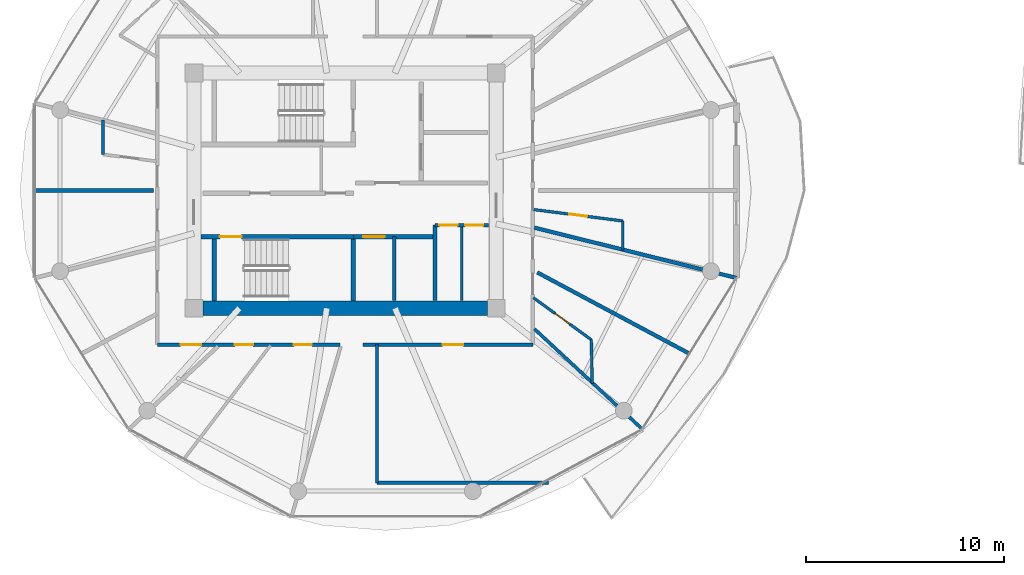
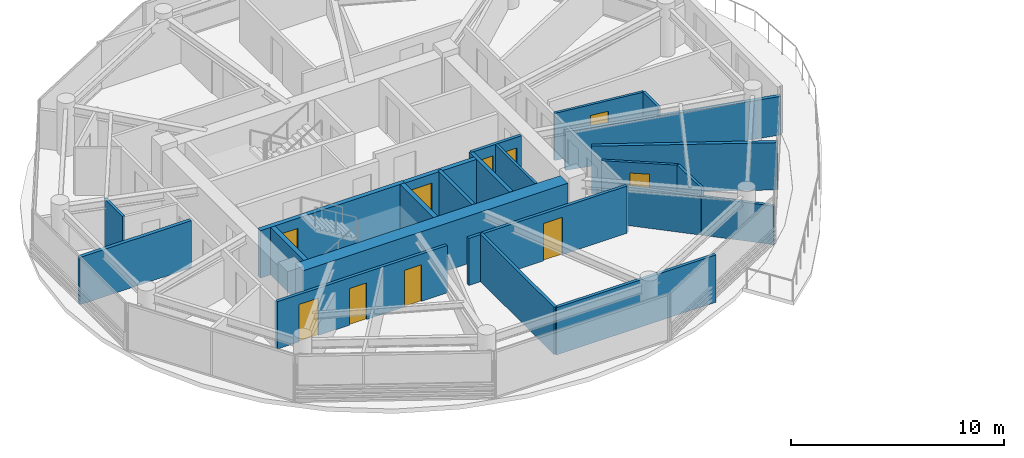
# One storey, part 13 of 22: 22 walls, 10 doors, 10 openings.
"""IFC4 building model written with IfcOpenShell, lengths in metres."""

from ifc_helpers import new_model, si_unit, direction, frame, frame_2d, origin, place, context, subcontext, project, spatial, rectangle, extrude, source, transform, mapped, material, layer, layer_set, type_object, type_shapes, element, fill, save


model = new_model("IFC4")

# Units and contexts
model_context = context("Model", 3, precision=1e-05, world=origin(), true_north=direction((0.0, 1.0)))
body_context = subcontext(model_context, "Body", "Model", "MODEL_VIEW")
ifc_project = project(units=[si_unit("LENGTHUNIT", "METRE"), si_unit("AREAUNIT", "SQUARE_METRE"), si_unit("VOLUMEUNIT", "CUBIC_METRE"), si_unit("PLANEANGLEUNIT", "RADIAN"), si_unit("MASSUNIT", "GRAM", prefix="KILO")], contexts=[model_context])

# Site, building, storey
site_placement = place(None, origin())
site = spatial("IfcSite", under=ifc_project, at=site_placement, CompositionType="ELEMENT")
building_placement = place(site_placement, origin())
building = spatial("IfcBuilding", under=site, at=building_placement, Name="Norrkilde Senior Care Towers", CompositionType="ELEMENT")
storey_placement = place(building_placement, frame((0.0, 0.0, 126.75)))
storey = spatial("IfcBuildingStorey", under=building, at=storey_placement, Name="L39", CompositionType="ELEMENT", Elevation=126.75)

# Walls
ifc_material_1 = material(Name="Concrete C60/75", Category="concrete")
ifc_layer_1 = layer(ifc_material_1, 0.719970703125)
ifc_layer_set_1 = layer_set([ifc_layer_1], Name="Concrete C60/75")
wall_type_1 = type_object("IfcWallType", Name="Core Shear Wall Z2 720", PredefinedType="SHEAR", material=ifc_layer_set_1)
shared_shape_1 = source(origin(), body_context, "Body", "SweptSolid", [
    extrude(rectangle(XDim=14.39990234375, YDim=0.719970703125, at=frame_2d((7.199951171875, 0.0))), origin(), (0.0, 0.0, 1.0), 2.72998046875),
])
type_shapes(wall_type_1, [shared_shape_1])
wall_1_placement = place(storey_placement, frame((-20.800048828125, -5.949951171875, 0.0), z_axis=(0.0, 0.0, 1.0), x_axis=(-1.0, 0.0, 0.0)))
element("IfcWall", 1, at=wall_1_placement, inside=storey, type_object=wall_type_1, Name="L39 Core W South Shear Wall", PredefinedType="SHEAR", context=body_context, shape_type="MappedRepresentation", body=[
    mapped(shared_shape_1, transform((0.0, 0.0, 0.0), x_axis=(1.0, 0.0, 0.0), y_axis=(0.0, 1.0, 0.0), z_axis=(0.0, 0.0, 1.0), scale=1.0)),
])
ifc_material_2 = material(Name="Concrete C45/55", Category="concrete")
ifc_layer_2 = layer(ifc_material_2, 0.199951171875)
ifc_layer_set_2 = layer_set([ifc_layer_2], Name="Concrete C45/55")
wall_type_2 = type_object("IfcWallType", Name="Shaft Division and Plant Partition 200", PredefinedType="PARTITIONING", material=ifc_layer_set_2)
shared_shape_2 = source(origin(), body_context, "Body", "SweptSolid", [
    extrude(rectangle(XDim=3.800048828125, YDim=0.199951171875, at=frame_2d((1.89990234375, 0.0))), origin(), (0.0, 0.0, 1.0), 2.715087890625),
])
type_shapes(wall_type_2, [shared_shape_2])
wall_2_placement = place(storey_placement, frame((-23.449951171875, -5.550048828125, 0.0), z_axis=(0.0, 0.0, 1.0), x_axis=(0.0, 1.0, 0.0)))
element("IfcWall", 2, at=wall_2_placement, inside=storey, type_object=wall_type_2, Name="WL-INT-L39-W-PKBE", PredefinedType="PARTITIONING", context=body_context, shape_type="MappedRepresentation", body=[
    mapped(shared_shape_2, transform((0.0, 0.0, 0.0), x_axis=(1.0, 0.0, 0.0), y_axis=(0.0, 1.0, 0.0), z_axis=(0.0, 0.0, 1.0), scale=1.0)),
])

# Wall, opening, door
ifc_layer_3 = layer(ifc_material_2, 0.239990234375)
ifc_layer_set_3 = layer_set([ifc_layer_3], Name="Concrete C45/55")
wall_type_3 = type_object("IfcWallType", Name="Lift and Plant Rated Enclosure Partition 240", PredefinedType="PARTITIONING", material=ifc_layer_set_3)
shared_shape_3 = source(origin(), body_context, "Body", "SweptSolid", [
    extrude(rectangle(XDim=4.130126953125, YDim=0.239990234375, at=frame_2d((2.06494140625, 0.0))), origin(), (0.0, 0.0, 1.0), 2.715087890625),
])
type_shapes(wall_type_3, [shared_shape_3])
wall_3_placement = place(storey_placement, frame((-27.580078125, -2.330078125, 0.0), z_axis=(0.0, 0.0, 1.0), x_axis=(1.0, 0.0, 0.0)))
wall_3 = element("IfcWall", 3, at=wall_3_placement, inside=storey, type_object=wall_type_3, Name="WL-INT-L39-W-PKBN", PredefinedType="PARTITIONING", context=body_context, shape_type="MappedRepresentation", body=[
    mapped(shared_shape_3, transform((0.0, 0.0, 0.0), x_axis=(1.0, 0.0, 0.0), y_axis=(0.0, 1.0, 0.0), z_axis=(0.0, 0.0, 1.0), scale=1.0)),
])
opening_1_placement = place(wall_3_placement, frame((0.5, 0.0, 0.0)))
opening_1 = element("IfcOpeningElement", 4, at=opening_1_placement, cuts=wall_3, Name="Opening LD-01", PredefinedType="OPENING", context=body_context, shape_type="SweptSolid", body=[
    extrude(rectangle(XDim=1.10009765625, YDim=2.199951171875, at=frame_2d((0.550048828125, 1.10009765625))), frame((0.0, 0.1298828125, 0.0), z_axis=(0.0, -1.0, 0.0), x_axis=(1.0, 0.0, 0.0)), (0.0, 0.0, 1.0), 0.260009765625),
])
ifc_material_3 = material(Name="Stainless Steel", Category="steel")
door_type_1 = type_object("IfcDoorType", Name="Lift Landing Sliding Door 1100x2200", OperationType="NOTDEFINED", PredefinedType="DOOR", material=ifc_material_3)
shared_shape_4 = source(origin(), body_context, "Body", "SweptSolid", [
    extrude(rectangle(XDim=1.10009765625, YDim=2.199951171875, at=frame_2d((0.550048828125, 1.10009765625))), frame((0.0, 0.02490234375, 0.0), z_axis=(0.0, -1.0, 0.0), x_axis=(1.0, 0.0, 0.0)), (0.0, 0.0, 1.0), 0.050048828125),
])
type_shapes(door_type_1, [shared_shape_4])
door_1_placement = place(opening_1_placement, frame((1.10009765625, 0.0, 0.0), z_axis=(0.0, 0.0, 1.0), x_axis=(-1.0, 0.0, 0.0)))
door_1 = element("IfcDoor", 5, at=door_1_placement, inside=storey, type_object=door_type_1, Name="L39 Passenger Lift W3 Landing Door", OperationType="SLIDING_TO_LEFT", OverallHeight=2.199951171875, OverallWidth=1.10009765625, PredefinedType="DOOR", context=body_context, shape_type="MappedRepresentation", body=[
    mapped(shared_shape_4, transform((0.0, 0.0, 0.0), x_axis=(1.0, 0.0, 0.0), y_axis=(0.0, 1.0, 0.0), z_axis=(0.0, 0.0, 1.0), scale=1.0)),
])
fill(opening_1, door_1)

# Wall
ifc_layer_4 = layer(ifc_material_2, 0.179931640625)
ifc_layer_set_4 = layer_set([ifc_layer_4], Name="Concrete C45/55")
wall_type_4 = type_object("IfcWallType", Name="Hoistway Division Rated Partition 180", PredefinedType="PARTITIONING", material=ifc_layer_set_4)
shared_shape_5 = source(origin(), body_context, "Body", "SweptSolid", [
    extrude(rectangle(XDim=3.219970703125, YDim=0.179931640625, at=frame_2d((1.60986328125, 0.0))), origin(), (0.0, 0.0, 1.0), 2.715087890625),
])
type_shapes(wall_type_4, [shared_shape_5])
wall_4_placement = place(storey_placement, frame((-25.5, -5.550048828125, 0.0), z_axis=(0.0, 0.0, 1.0), x_axis=(0.0, 1.0, 0.0)))
element("IfcWall", 6, at=wall_4_placement, inside=storey, type_object=wall_type_4, Name="WL-INT-L39-W-PL34", PredefinedType="PARTITIONING", context=body_context, shape_type="MappedRepresentation", body=[
    mapped(shared_shape_5, transform((0.0, 0.0, 0.0), x_axis=(1.0, 0.0, 0.0), y_axis=(0.0, 1.0, 0.0), z_axis=(0.0, 0.0, 1.0), scale=1.0)),
])

# Wall, openings, doors
ifc_material_4 = material(Name="Gypsum Acoustic Board")
ifc_layer_5 = layer(ifc_material_4, 0.1650390625)
ifc_layer_set_5 = layer_set([ifc_layer_5], Name="Gypsum Acoustic Board")
wall_type_5 = type_object("IfcWallType", Name="Corridor Rated Partition 165", PredefinedType="PARTITIONING", material=ifc_layer_set_5)
shared_shape_6 = source(origin(), body_context, "Body", "SweptSolid", [
    extrude(rectangle(XDim=2.699951171875, YDim=0.1650390625, at=frame_2d((1.35009765625, 0.0))), origin(), (0.0, 0.0, 1.0), 2.715087890625),
])
wall_5_placement = place(storey_placement, frame((-23.449951171875, -1.75, 0.0), z_axis=(0.0, 0.0, 1.0), x_axis=(1.0, 0.0, 0.0)))
wall_5 = element("IfcWall", 7, at=wall_5_placement, inside=storey, type_object=wall_type_5, Name="WL-INT-L39-W-CSN", PredefinedType="PARTITIONING", context=body_context, shape_type="MappedRepresentation", body=[
    mapped(shared_shape_6, transform((0.0, 0.0, 0.0), x_axis=(1.0, 0.0, 0.0), y_axis=(0.0, 1.0, 0.0), z_axis=(0.0, 0.0, 1.0), scale=1.0)),
])
opening_2_placement = place(wall_5_placement, frame((0.222412109375, 0.0, 0.0)))
opening_2 = element("IfcOpeningElement", 8, at=opening_2_placement, cuts=wall_5, Name="Opening D-12", PredefinedType="OPENING", context=body_context, shape_type="SweptSolid", body=[
    extrude(rectangle(XDim=0.925048828125, YDim=2.10009765625, at=frame_2d((0.46240234375, 1.050048828125))), frame((0.0, 0.092529296875, 0.0), z_axis=(0.0, -1.0, 0.0), x_axis=(1.0, 0.0, 0.0)), (0.0, 0.0, 1.0), 0.18505859375),
])
opening_3_placement = place(wall_5_placement, frame((1.5224609375, 0.0, 0.0)))
opening_3 = element("IfcOpeningElement", 9, at=opening_3_placement, cuts=wall_5, Name="Opening D-12", PredefinedType="OPENING", context=body_context, shape_type="SweptSolid", body=[
    extrude(rectangle(XDim=0.925048828125, YDim=2.10009765625, at=frame_2d((0.46240234375, 1.050048828125))), frame((0.0, 0.092529296875, 0.0), z_axis=(0.0, -1.0, 0.0), x_axis=(1.0, 0.0, 0.0)), (0.0, 0.0, 1.0), 0.18505859375),
])
ifc_material_5 = material(Name="Galvanised Painted Steel", Category="steel")
door_type_2 = type_object("IfcDoorType", Name="Core Wet Room Rated Door 925x2100", OperationType="NOTDEFINED", PredefinedType="DOOR", material=ifc_material_5)
shared_shape_7 = source(origin(), body_context, "Body", "SweptSolid", [
    extrude(rectangle(XDim=0.925048828125, YDim=2.10009765625, at=frame_2d((0.46240234375, 1.050048828125))), frame((0.0, 0.02490234375, 0.0), z_axis=(0.0, -1.0, 0.0), x_axis=(1.0, 0.0, 0.0)), (0.0, 0.0, 1.0), 0.050048828125),
])
type_shapes(door_type_2, [shared_shape_7])
door_2_placement = place(opening_2_placement, origin())
door_2 = element("IfcDoor", 10, at=door_2_placement, inside=storey, type_object=door_type_2, Name="L39 Staff Accessible WC W Door", OperationType="SINGLE_SWING_LEFT", OverallHeight=2.10009765625, OverallWidth=0.925048828125, PredefinedType="DOOR", context=body_context, shape_type="MappedRepresentation", body=[
    mapped(shared_shape_7, transform((0.0, 0.0, 0.0), x_axis=(1.0, 0.0, 0.0), y_axis=(0.0, 1.0, 0.0), z_axis=(0.0, 0.0, 1.0), scale=1.0)),
])
fill(opening_2, door_2)
door_3_placement = place(opening_3_placement, origin())
door_3 = element("IfcDoor", 11, at=door_3_placement, inside=storey, type_object=door_type_2, Name="L39 Housekeeping Store W Door", OperationType="SINGLE_SWING_RIGHT", OverallHeight=2.10009765625, OverallWidth=0.925048828125, PredefinedType="DOOR", context=body_context, shape_type="MappedRepresentation", body=[
    mapped(shared_shape_7, transform((0.0, 0.0, 0.0), x_axis=(1.0, 0.0, 0.0), y_axis=(0.0, 1.0, 0.0), z_axis=(0.0, 0.0, 1.0), scale=1.0)),
])
fill(opening_3, door_3)

# Wall
ifc_layer_6 = layer(ifc_material_4, 0.139892578125)
ifc_layer_set_6 = layer_set([ifc_layer_6], Name="Gypsum Acoustic Board")
wall_type_6 = type_object("IfcWallType", Name="En-suite Wet Room Wall 140", PredefinedType="PARTITIONING", material=ifc_layer_set_6)
shared_shape_8 = source(origin(), body_context, "Body", "SweptSolid", [
    extrude(rectangle(XDim=3.800048828125, YDim=0.139892578125, at=frame_2d((1.89990234375, 0.0))), origin(), (0.0, 0.0, 1.0), 2.715087890625),
])
wall_6_placement = place(storey_placement, frame((-22.10009765625, -5.550048828125, 0.0), z_axis=(0.0, 0.0, 1.0), x_axis=(0.0, 1.0, 0.0)))
element("IfcWall", 12, at=wall_6_placement, inside=storey, type_object=wall_type_6, Name="WL-INT-L39-W-CS1V", PredefinedType="PARTITIONING", context=body_context, shape_type="MappedRepresentation", body=[
    mapped(shared_shape_8, transform((0.0, 0.0, 0.0), x_axis=(1.0, 0.0, 0.0), y_axis=(0.0, 1.0, 0.0), z_axis=(0.0, 0.0, 1.0), scale=1.0)),
])

# Wall, opening, door
ifc_layer_7 = layer(ifc_material_2, 0.239990234375)
ifc_layer_set_7 = layer_set([ifc_layer_7], Name="Concrete C45/55")
wall_type_7 = type_object("IfcWallType", Name="Shaft and Stair Enclosure Wall 240", PredefinedType="PARTITIONING", material=ifc_layer_set_7)
shared_shape_9 = source(origin(), body_context, "Body", "SweptSolid", [
    extrude(rectangle(XDim=7.830078125, YDim=0.239990234375, at=frame_2d((3.9150390625, 0.0))), origin(), (0.0, 0.0, 1.0), 2.72998046875),
])
wall_7_placement = place(storey_placement, frame((-35.2900390625, -2.330078125, 0.0), z_axis=(0.0, 0.0, 1.0), x_axis=(1.0, 0.0, 0.0)))
wall_7 = element("IfcWall", 13, at=wall_7_placement, inside=storey, type_object=wall_type_7, Name="WL-INT-L39-W-ST2N", PredefinedType="PARTITIONING", context=body_context, shape_type="MappedRepresentation", body=[
    mapped(shared_shape_9, transform((0.0, 0.0, 0.0), x_axis=(1.0, 0.0, 0.0), y_axis=(0.0, 1.0, 0.0), z_axis=(0.0, 0.0, 1.0), scale=1.0)),
])
opening_4_placement = place(wall_7_placement, frame((0.949951171875, 0.0, 0.0)))
opening_4 = element("IfcOpeningElement", 14, at=opening_4_placement, cuts=wall_7, Name="Opening D-03", PredefinedType="OPENING", context=body_context, shape_type="SweptSolid", body=[
    extrude(rectangle(XDim=1.10009765625, YDim=2.14990234375, at=frame_2d((0.550048828125, 1.074951171875))), frame((0.0, 0.1298828125, 0.0), z_axis=(0.0, -1.0, 0.0), x_axis=(1.0, 0.0, 0.0)), (0.0, 0.0, 1.0), 0.260009765625),
])
door_type_3 = type_object("IfcDoorType", Name="Stairwell Protected Fire Door 1100x2150", OperationType="NOTDEFINED", PredefinedType="DOOR", material=ifc_material_5)
shared_shape_10 = source(origin(), body_context, "Body", "SweptSolid", [
    extrude(rectangle(XDim=1.10009765625, YDim=2.14990234375, at=frame_2d((0.550048828125, 1.074951171875))), frame((0.0, 0.02490234375, 0.0), z_axis=(0.0, -1.0, 0.0), x_axis=(1.0, 0.0, 0.0)), (0.0, 0.0, 1.0), 0.050048828125),
])
type_shapes(door_type_3, [shared_shape_10])
door_4_placement = place(opening_4_placement, frame((1.10009765625, 0.0, 0.0), z_axis=(0.0, 0.0, 1.0), x_axis=(-1.0, 0.0, 0.0)))
door_4 = element("IfcDoor", 15, at=door_4_placement, inside=storey, type_object=door_type_3, Name="L39 Stair W2 Fire Door", OperationType="SINGLE_SWING_RIGHT", OverallHeight=2.14990234375, OverallWidth=1.10009765625, PredefinedType="DOOR", context=body_context, shape_type="MappedRepresentation", body=[
    mapped(shared_shape_10, transform((0.0, 0.0, 0.0), x_axis=(1.0, 0.0, 0.0), y_axis=(0.0, 1.0, 0.0), z_axis=(0.0, 0.0, 1.0), scale=1.0)),
])
fill(opening_4, door_4)

# Walls
shared_shape_11 = source(origin(), body_context, "Body", "SweptSolid", [
    extrude(rectangle(XDim=3.14013671875, YDim=0.239990234375, at=frame_2d((1.570068359375, 0.0))), origin(), (0.0, 0.0, 1.0), 2.72998046875),
])
type_shapes(wall_type_7, [shared_shape_9, shared_shape_11])
for number, where, z_axis, x_axis, name in (
    (16, (-34.6201171875, -5.590087890625, 0.0), (0.0, 0.0, 1.0), (0.0, 1.0, 0.0), "WL-INT-L39-W-ST2W"),
    (17, (-27.580078125, -5.590087890625, 0.0), (0.0, 0.0, 1.0), (0.0, 1.0, 0.0), "WL-INT-L39-W-ST2E"),
):
    element("IfcWall", number, at=place(storey_placement, frame(where, z_axis=z_axis, x_axis=x_axis)), inside=storey, type_object=wall_type_7, Name=name, PredefinedType="PARTITIONING", context=body_context, shape_type="MappedRepresentation", body=[
        mapped(shared_shape_11, transform((0.0, 0.0, 0.0), x_axis=(1.0, 0.0, 0.0), y_axis=(0.0, 1.0, 0.0), z_axis=(0.0, 0.0, 1.0), scale=1.0)),
    ])

# Wall, opening, door
shared_shape_12 = source(origin(), body_context, "Body", "SweptSolid", [
    extrude(rectangle(XDim=8.60009765625, YDim=0.1650390625, at=frame_2d((4.300048828125, 0.0))), origin(), (0.0, 0.0, 1.0), 2.715087890625),
])
wall_8_placement = place(storey_placement, frame((-18.5, -7.800048828125, 0.0), z_axis=(0.0, 0.0, 1.0), x_axis=(-1.0, 0.0, 0.0)))
wall_8 = element("IfcWall", 18, at=wall_8_placement, inside=storey, type_object=wall_type_5, Name="WL-INT-L39-W-CRW-S-0", PredefinedType="PARTITIONING", context=body_context, shape_type="MappedRepresentation", body=[
    mapped(shared_shape_12, transform((0.0, 0.0, 0.0), x_axis=(1.0, 0.0, 0.0), y_axis=(0.0, 1.0, 0.0), z_axis=(0.0, 0.0, 1.0), scale=1.0)),
])
opening_5_placement = place(wall_8_placement, frame((3.509033203125, 0.0, 0.0)))
opening_5 = element("IfcOpeningElement", 19, at=opening_5_placement, cuts=wall_8, Name="Opening D-06", PredefinedType="OPENING", context=body_context, shape_type="SweptSolid", body=[
    extrude(rectangle(XDim=1.050048828125, YDim=2.14990234375, at=frame_2d((0.52490234375, 1.074951171875))), frame((0.0, 0.092529296875, 0.0), z_axis=(0.0, -1.0, 0.0), x_axis=(1.0, 0.0, 0.0)), (0.0, 0.0, 1.0), 0.18505859375),
])
ifc_material_6 = material(Name="Nordic Ash Timber", Category="wood")
door_type_4 = type_object("IfcDoorType", Name="Apartment Entrance Fire Door 1050x2150", OperationType="NOTDEFINED", PredefinedType="DOOR", material=ifc_material_6)
shared_shape_13 = source(origin(), body_context, "Body", "SweptSolid", [
    extrude(rectangle(XDim=1.050048828125, YDim=2.14990234375, at=frame_2d((0.52490234375, 1.074951171875))), frame((0.0, 0.02490234375, 0.0), z_axis=(0.0, -1.0, 0.0), x_axis=(1.0, 0.0, 0.0)), (0.0, 0.0, 1.0), 0.050048828125),
])
type_shapes(door_type_4, [shared_shape_13])
door_5_placement = place(opening_5_placement, frame((1.050048828125, 0.0, 0.0), z_axis=(0.0, 0.0, 1.0), x_axis=(-1.0, 0.0, 0.0)))
door_5 = element("IfcDoor", 20, at=door_5_placement, inside=storey, type_object=door_type_4, Name="L39 Reading Lounge SEL Door", OperationType="SINGLE_SWING_RIGHT", OverallHeight=2.14990234375, OverallWidth=1.050048828125, PredefinedType="DOOR", context=body_context, shape_type="MappedRepresentation", body=[
    mapped(shared_shape_13, transform((0.0, 0.0, 0.0), x_axis=(1.0, 0.0, 0.0), y_axis=(0.0, 1.0, 0.0), z_axis=(0.0, 0.0, 1.0), scale=1.0)),
])
fill(opening_5, door_5)

# Wall, openings, doors
shared_shape_14 = source(origin(), body_context, "Body", "SweptSolid", [
    extrude(rectangle(XDim=9.234130859375, YDim=0.1650390625, at=frame_2d((4.6171875, 0.0))), origin(), (0.0, 0.0, 1.0), 2.715087890625),
])
wall_9_placement = place(storey_placement, frame((-28.265869140625, -7.800048828125, 0.0), z_axis=(0.0, 0.0, 1.0), x_axis=(-1.0, 0.0, 0.0)))
wall_9 = element("IfcWall", 21, at=wall_9_placement, inside=storey, type_object=wall_type_5, Name="WL-INT-L39-W-CRW-S-1", PredefinedType="PARTITIONING", context=body_context, shape_type="MappedRepresentation", body=[
    mapped(shared_shape_14, transform((0.0, 0.0, 0.0), x_axis=(1.0, 0.0, 0.0), y_axis=(0.0, 1.0, 0.0), z_axis=(0.0, 0.0, 1.0), scale=1.0)),
])
opening_6_placement = place(wall_9_placement, frame((7.009033203125, 0.0, 0.0)))
opening_6 = element("IfcOpeningElement", 22, at=opening_6_placement, cuts=wall_9, Name="Opening D-06", PredefinedType="OPENING", context=body_context, shape_type="SweptSolid", body=[
    extrude(rectangle(XDim=1.050048828125, YDim=2.14990234375, at=frame_2d((0.52490234375, 1.074951171875))), frame((0.0, 0.092529296875, 0.0), z_axis=(0.0, -1.0, 0.0), x_axis=(1.0, 0.0, 0.0)), (0.0, 0.0, 1.0), 0.18505859375),
])
opening_7_placement = place(wall_9_placement, frame((4.39208984375, 0.0, 0.0)))
opening_7 = element("IfcOpeningElement", 23, at=opening_7_placement, cuts=wall_9, Name="Opening D-08", PredefinedType="OPENING", context=body_context, shape_type="SweptSolid", body=[
    extrude(rectangle(XDim=0.919921875, YDim=2.10009765625, at=frame_2d((0.4599609375, 1.050048828125))), frame((0.0, 0.092529296875, 0.0), z_axis=(0.0, -1.0, 0.0), x_axis=(1.0, 0.0, 0.0)), (0.0, 0.0, 1.0), 0.18505859375),
])
opening_8_placement = place(wall_9_placement, frame((1.407958984375, 0.0, 0.0)))
opening_8 = element("IfcOpeningElement", 24, at=opening_8_placement, cuts=wall_9, Name="Opening D-08", PredefinedType="OPENING", context=body_context, shape_type="SweptSolid", body=[
    extrude(rectangle(XDim=0.919921875, YDim=2.10009765625, at=frame_2d((0.4599609375, 1.050048828125))), frame((0.0, 0.092529296875, 0.0), z_axis=(0.0, -1.0, 0.0), x_axis=(1.0, 0.0, 0.0)), (0.0, 0.0, 1.0), 0.18505859375),
])
door_type_5 = type_object("IfcDoorType", Name="Accessible Wet Room Door 920x2100", OperationType="NOTDEFINED", PredefinedType="DOOR", material=ifc_material_6)
shared_shape_15 = source(origin(), body_context, "Body", "SweptSolid", [
    extrude(rectangle(XDim=0.919921875, YDim=2.10009765625, at=frame_2d((0.4599609375, 1.050048828125))), frame((0.0, 0.02490234375, 0.0), z_axis=(0.0, -1.0, 0.0), x_axis=(1.0, 0.0, 0.0)), (0.0, 0.0, 1.0), 0.050048828125),
])
type_shapes(door_type_5, [shared_shape_15])
door_6_placement = place(opening_7_placement, frame((0.919921875, 0.0, 0.0), z_axis=(0.0, 0.0, 1.0), x_axis=(-1.0, 0.0, 0.0)))
door_6 = element("IfcDoor", 25, at=door_6_placement, inside=storey, type_object=door_type_5, Name="L39 Accessible Restroom Door", OperationType="SINGLE_SWING_RIGHT", OverallHeight=2.10009765625, OverallWidth=0.919921875, PredefinedType="DOOR", context=body_context, shape_type="MappedRepresentation", body=[
    mapped(shared_shape_15, transform((0.0, 0.0, 0.0), x_axis=(1.0, 0.0, 0.0), y_axis=(0.0, 1.0, 0.0), z_axis=(0.0, 0.0, 1.0), scale=1.0)),
])
fill(opening_7, door_6)
door_7_placement = place(opening_8_placement, frame((0.919921875, 0.0, 0.0), z_axis=(0.0, 0.0, 1.0), x_axis=(-1.0, 0.0, 0.0)))
door_7 = element("IfcDoor", 26, at=door_7_placement, inside=storey, type_object=door_type_5, Name="L39 Public Restroom Door", OperationType="SINGLE_SWING_LEFT", OverallHeight=2.10009765625, OverallWidth=0.919921875, PredefinedType="DOOR", context=body_context, shape_type="MappedRepresentation", body=[
    mapped(shared_shape_15, transform((0.0, 0.0, 0.0), x_axis=(1.0, 0.0, 0.0), y_axis=(0.0, 1.0, 0.0), z_axis=(0.0, 0.0, 1.0), scale=1.0)),
])
fill(opening_8, door_7)
door_8_placement = place(opening_6_placement, frame((1.050048828125, 0.0, 0.0), z_axis=(0.0, 0.0, 1.0), x_axis=(-1.0, 0.0, 0.0)))
door_8 = element("IfcDoor", 27, at=door_8_placement, inside=storey, type_object=door_type_4, Name="L39 Assessment Clinic 6B Door", OperationType="SINGLE_SWING_RIGHT", OverallHeight=2.14990234375, OverallWidth=1.050048828125, PredefinedType="DOOR", context=body_context, shape_type="MappedRepresentation", body=[
    mapped(shared_shape_13, transform((0.0, 0.0, 0.0), x_axis=(1.0, 0.0, 0.0), y_axis=(0.0, 1.0, 0.0), z_axis=(0.0, 0.0, 1.0), scale=1.0)),
])
fill(opening_6, door_8)

# Walls
shared_shape_16 = source(origin(), body_context, "Body", "SweptSolid", [
    extrude(rectangle(XDim=7.482177734375, YDim=0.1650390625, at=frame_2d((3.7412109375, 0.0))), origin(), (0.0, 0.0, 1.0), 2.215087890625),
])
wall_10_placement = place(storey_placement, frame((-18.419921875, -6.998046875, 0.0), z_axis=(0.0, 0.0, 1.0), x_axis=(0.732508698043, -0.680757671489, 0.0)))
element("IfcWall", 28, at=wall_10_placement, inside=storey, type_object=wall_type_5, Name="WL-INT-L39-W-DEM-10-0", PredefinedType="PARTITIONING", context=body_context, shape_type="MappedRepresentation", body=[
    mapped(shared_shape_16, transform((0.0, 0.0, 0.0), x_axis=(1.0, 0.0, 0.0), y_axis=(0.0, 1.0, 0.0), z_axis=(0.0, 0.0, 1.0), scale=1.0)),
])
shared_shape_17 = source(origin(), body_context, "Body", "SweptSolid", [
    extrude(rectangle(XDim=6.989990234375, YDim=0.1650390625, at=frame_2d((3.4951171875, 0.0))), origin(), (0.0, 0.0, 1.0), 2.715087890625),
])
wall_11_placement = place(storey_placement, frame((-26.3798828125, -14.7900390625, 0.0), z_axis=(0.0, 0.0, 1.0), x_axis=(0.0, 1.0, 0.0)))
element("IfcWall", 29, at=wall_11_placement, inside=storey, type_object=wall_type_5, Name="WL-INT-L39-W-PKW-SEL", PredefinedType="PARTITIONING", context=body_context, shape_type="MappedRepresentation", body=[
    mapped(shared_shape_17, transform((0.0, 0.0, 0.0), x_axis=(1.0, 0.0, 0.0), y_axis=(0.0, 1.0, 0.0), z_axis=(0.0, 0.0, 1.0), scale=1.0)),
])
shared_shape_18 = source(origin(), body_context, "Body", "SweptSolid", [
    extrude(rectangle(XDim=8.66943359375, YDim=0.1650390625, at=frame_2d((4.334716796875, 0.0))), origin(), (0.0, 0.0, 1.0), 2.715087890625),
])
type_shapes(wall_type_5, [shared_shape_6, shared_shape_12, shared_shape_14, shared_shape_16, shared_shape_17, shared_shape_18])
wall_12_placement = place(storey_placement, frame((-26.3798828125, -14.7900390625, 0.0), z_axis=(0.0, 0.0, 1.0), x_axis=(1.0, 0.0, 0.0)))
element("IfcWall", 30, at=wall_12_placement, inside=storey, type_object=wall_type_5, Name="WL-INT-L39-W-PKH-SEL-0", PredefinedType="PARTITIONING", context=body_context, shape_type="MappedRepresentation", body=[
    mapped(shared_shape_18, transform((0.0, 0.0, 0.0), x_axis=(1.0, 0.0, 0.0), y_axis=(0.0, 1.0, 0.0), z_axis=(0.0, 0.0, 1.0), scale=1.0)),
])
ifc_layer_8 = layer(ifc_material_4, 0.18994140625)
ifc_layer_set_8 = layer_set([ifc_layer_8], Name="Gypsum Acoustic Board")
wall_type_8 = type_object("IfcWallType", Name="Unit Demising Acoustic Wall 190", PredefinedType="PARTITIONING", material=ifc_layer_set_8)
shared_shape_19 = source(origin(), body_context, "Body", "SweptSolid", [
    extrude(rectangle(XDim=6.03857421875, YDim=0.18994140625, at=frame_2d((3.019287109375, 0.0))), origin(), (0.0, 0.0, 1.0), 2.715087890625),
])
wall_13_placement = place(storey_placement, frame((-37.6845703125, 0.0, 0.0), z_axis=(0.0, 0.0, 1.0), x_axis=(-1.0, 0.0, 0.0)))
element("IfcWall", 31, at=wall_13_placement, inside=storey, type_object=wall_type_8, Name="WL-INT-L39-W-CMID-05", PredefinedType="PARTITIONING", context=body_context, shape_type="MappedRepresentation", body=[
    mapped(shared_shape_19, transform((0.0, 0.0, 0.0), x_axis=(1.0, 0.0, 0.0), y_axis=(0.0, 1.0, 0.0), z_axis=(0.0, 0.0, 1.0), scale=1.0)),
])
shared_shape_20 = source(origin(), body_context, "Body", "SweptSolid", [
    extrude(rectangle(XDim=1.7490234375, YDim=0.139892578125, at=frame_2d((0.87451171875, 0.0))), origin(), (0.0, 0.0, 1.0), 2.715087890625),
])
wall_14_placement = place(storey_placement, frame((-40.25146484375, 1.83056640625, 0.0), z_axis=(0.0, 0.0, 1.0), x_axis=(0.003350064953, 0.999994388517, 0.0)))
element("IfcWall", 32, at=wall_14_placement, inside=storey, type_object=wall_type_6, Name="WL-INT-L39-W-EF-05A", PredefinedType="PARTITIONING", context=body_context, shape_type="MappedRepresentation", body=[
    mapped(shared_shape_20, transform((0.0, 0.0, 0.0), x_axis=(1.0, 0.0, 0.0), y_axis=(0.0, 1.0, 0.0), z_axis=(0.0, 0.0, 1.0), scale=1.0)),
])
shared_shape_21 = source(origin(), body_context, "Body", "SweptSolid", [
    extrude(rectangle(XDim=10.5556640625, YDim=0.18994140625, at=frame_2d((5.27783203125, 0.0))), origin(), (0.0, 0.0, 1.0), 2.215087890625),
])
wall_15_placement = place(storey_placement, frame((-18.419921875, -1.875, 0.0), z_axis=(0.0, 0.0, 1.0), x_axis=(0.970363857851, -0.241648470667, 0.0)))
element("IfcWall", 33, at=wall_15_placement, inside=storey, type_object=wall_type_8, Name="WL-INT-L39-W-DEM-11-0", PredefinedType="PARTITIONING", context=body_context, shape_type="MappedRepresentation", body=[
    mapped(shared_shape_21, transform((0.0, 0.0, 0.0), x_axis=(1.0, 0.0, 0.0), y_axis=(0.0, 1.0, 0.0), z_axis=(0.0, 0.0, 1.0), scale=1.0)),
])
shared_shape_22 = source(origin(), body_context, "Body", "SweptSolid", [
    extrude(rectangle(XDim=8.744384765625, YDim=0.18994140625, at=frame_2d((4.3720703125, 0.0))), origin(), (0.0, 0.0, 1.0), 2.715087890625),
])
type_shapes(wall_type_8, [shared_shape_19, shared_shape_21, shared_shape_22])
wall_16_placement = place(storey_placement, frame((-18.27294921875, -4.141845703125, 0.0), z_axis=(0.0, 0.0, 1.0), x_axis=(0.882252449936, -0.470776607938, 0.0)))
element("IfcWall", 34, at=wall_16_placement, inside=storey, type_object=wall_type_8, Name="WL-INT-L39-W-CMID-10", PredefinedType="PARTITIONING", context=body_context, shape_type="MappedRepresentation", body=[
    mapped(shared_shape_22, transform((0.0, 0.0, 0.0), x_axis=(1.0, 0.0, 0.0), y_axis=(0.0, 1.0, 0.0), z_axis=(0.0, 0.0, 1.0), scale=1.0)),
])

# Wall, opening, door
shared_shape_23 = source(origin(), body_context, "Body", "SweptSolid", [
    extrude(rectangle(XDim=3.621337890625, YDim=0.139892578125, at=frame_2d((1.810546875, 0.0))), origin(), (0.0, 0.0, 1.0), 2.715087890625),
])
wall_17_placement = place(storey_placement, frame((-18.469970703125, -5.421875, 0.0), z_axis=(0.0, 0.0, 1.0), x_axis=(0.80968252222, -0.586868139544, 0.0)))
wall_17 = element("IfcWall", 35, at=wall_17_placement, inside=storey, type_object=wall_type_6, Name="WL-INT-L39-W-ES-10A", PredefinedType="PARTITIONING", context=body_context, shape_type="MappedRepresentation", body=[
    mapped(shared_shape_23, transform((0.0, 0.0, 0.0), x_axis=(1.0, 0.0, 0.0), y_axis=(0.0, 1.0, 0.0), z_axis=(0.0, 0.0, 1.0), scale=1.0)),
])
opening_9_placement = place(wall_17_placement, frame((1.3505859375, 0.0, 0.0)))
opening_9 = element("IfcOpeningElement", 36, at=opening_9_placement, cuts=wall_17, Name="Opening D-08", PredefinedType="OPENING", context=body_context, shape_type="SweptSolid", body=[
    extrude(rectangle(XDim=0.919921875, YDim=2.10009765625, at=frame_2d((0.4599609375, 1.050048828125))), frame((0.0, 0.079833984375, 0.0), z_axis=(0.0, -1.0, 0.0), x_axis=(1.0, 0.0, 0.0)), (0.0, 0.0, 1.0), 0.159912109375),
])
door_9_placement = place(opening_9_placement, origin())
door_9 = element("IfcDoor", 37, at=door_9_placement, inside=storey, type_object=door_type_5, Name="L39 Care Suite 3910A Bathroom Door", OperationType="SINGLE_SWING_RIGHT", OverallHeight=2.10009765625, OverallWidth=0.919921875, PredefinedType="DOOR", context=body_context, shape_type="MappedRepresentation", body=[
    mapped(shared_shape_15, transform((0.0, 0.0, 0.0), x_axis=(1.0, 0.0, 0.0), y_axis=(0.0, 1.0, 0.0), z_axis=(0.0, 0.0, 1.0), scale=1.0)),
])
fill(opening_9, door_9)

# Wall
shared_shape_24 = source(origin(), body_context, "Body", "SweptSolid", [
    extrude(rectangle(XDim=2.224853515625, YDim=0.139892578125, at=frame_2d((1.1123046875, 0.0))), origin(), (0.0, 0.0, 1.0), 2.715087890625),
])
wall_18_placement = place(storey_placement, frame((-15.537841796875, -7.547119140625, 0.0), z_axis=(0.0, 0.0, 1.0), x_axis=(0.019971869027, -0.999800542332, 0.0)))
element("IfcWall", 38, at=wall_18_placement, inside=storey, type_object=wall_type_6, Name="WL-INT-L39-W-EF-10A", PredefinedType="PARTITIONING", context=body_context, shape_type="MappedRepresentation", body=[
    mapped(shared_shape_24, transform((0.0, 0.0, 0.0), x_axis=(1.0, 0.0, 0.0), y_axis=(0.0, 1.0, 0.0), z_axis=(0.0, 0.0, 1.0), scale=1.0)),
])

# Wall, opening, door
shared_shape_25 = source(origin(), body_context, "Body", "SweptSolid", [
    extrude(rectangle(XDim=4.562255859375, YDim=0.139892578125, at=frame_2d((2.28125, 0.0))), origin(), (0.0, 0.0, 1.0), 2.715087890625),
])
wall_19_placement = place(storey_placement, frame((-18.469970703125, -0.95751953125, 0.0), z_axis=(0.0, 0.0, 1.0), x_axis=(0.991904666356, -0.126984774129, 0.0)))
wall_19 = element("IfcWall", 39, at=wall_19_placement, inside=storey, type_object=wall_type_6, Name="WL-INT-L39-W-ES-11A", PredefinedType="PARTITIONING", context=body_context, shape_type="MappedRepresentation", body=[
    mapped(shared_shape_25, transform((0.0, 0.0, 0.0), x_axis=(1.0, 0.0, 0.0), y_axis=(0.0, 1.0, 0.0), z_axis=(0.0, 0.0, 1.0), scale=1.0)),
])
opening_10_placement = place(wall_19_placement, frame((1.8212890625, 0.0, 0.0)))
opening_10 = element("IfcOpeningElement", 40, at=opening_10_placement, cuts=wall_19, Name="Opening D-08", PredefinedType="OPENING", context=body_context, shape_type="SweptSolid", body=[
    extrude(rectangle(XDim=0.919921875, YDim=2.10009765625, at=frame_2d((0.4599609375, 1.050048828125))), frame((0.0, 0.079833984375, 0.0), z_axis=(0.0, -1.0, 0.0), x_axis=(1.0, 0.0, 0.0)), (0.0, 0.0, 1.0), 0.159912109375),
])
door_10_placement = place(opening_10_placement, origin())
door_10 = element("IfcDoor", 41, at=door_10_placement, inside=storey, type_object=door_type_5, Name="L39 Care Suite 3911A Bathroom Door", OperationType="SINGLE_SWING_LEFT", OverallHeight=2.10009765625, OverallWidth=0.919921875, PredefinedType="DOOR", context=body_context, shape_type="MappedRepresentation", body=[
    mapped(shared_shape_15, transform((0.0, 0.0, 0.0), x_axis=(1.0, 0.0, 0.0), y_axis=(0.0, 1.0, 0.0), z_axis=(0.0, 0.0, 1.0), scale=1.0)),
])
fill(opening_10, door_10)

# Wall
shared_shape_26 = source(origin(), body_context, "Body", "SweptSolid", [
    extrude(rectangle(XDim=1.4677734375, YDim=0.139892578125, at=frame_2d((0.73388671875, 0.0))), origin(), (0.0, 0.0, 1.0), 2.715087890625),
])
type_shapes(wall_type_6, [shared_shape_8, shared_shape_20, shared_shape_23, shared_shape_24, shared_shape_25, shared_shape_26])
wall_20_placement = place(storey_placement, frame((-13.944580078125, -1.536865234375, 0.0), z_axis=(0.0, 0.0, 1.0), x_axis=(-0.00399198416, -0.999992031999, 0.0)))
element("IfcWall", 42, at=wall_20_placement, inside=storey, type_object=wall_type_6, Name="WL-INT-L39-W-EF-11A", PredefinedType="PARTITIONING", context=body_context, shape_type="MappedRepresentation", body=[
    mapped(shared_shape_26, transform((0.0, 0.0, 0.0), x_axis=(1.0, 0.0, 0.0), y_axis=(0.0, 1.0, 0.0), z_axis=(0.0, 0.0, 1.0), scale=1.0)),
])

save(model, "model.ifc")
